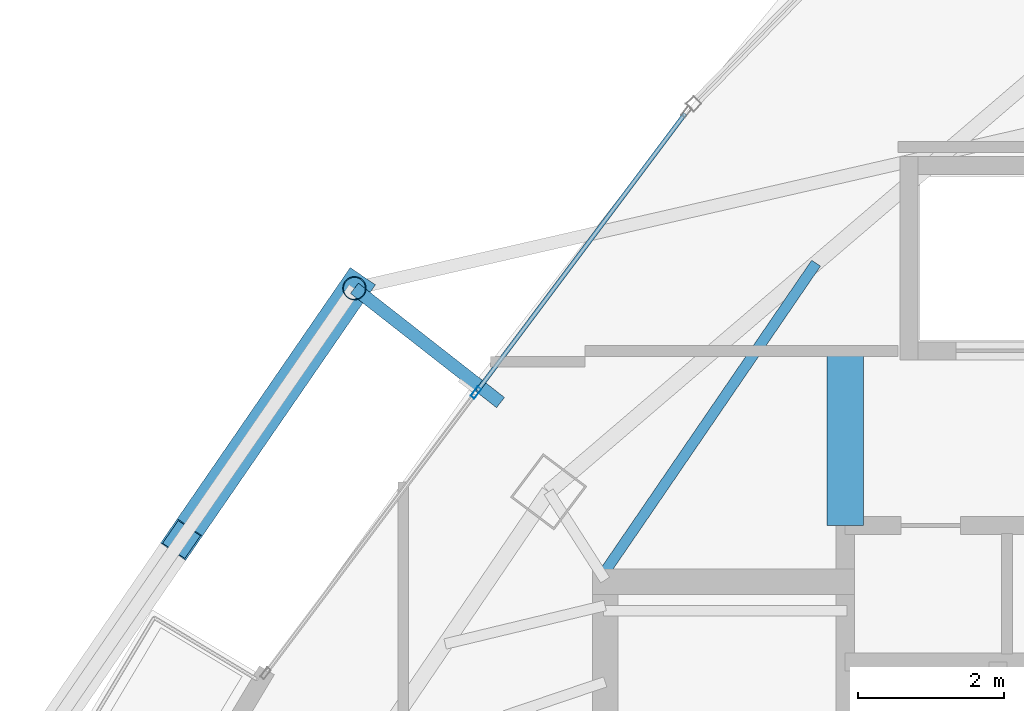
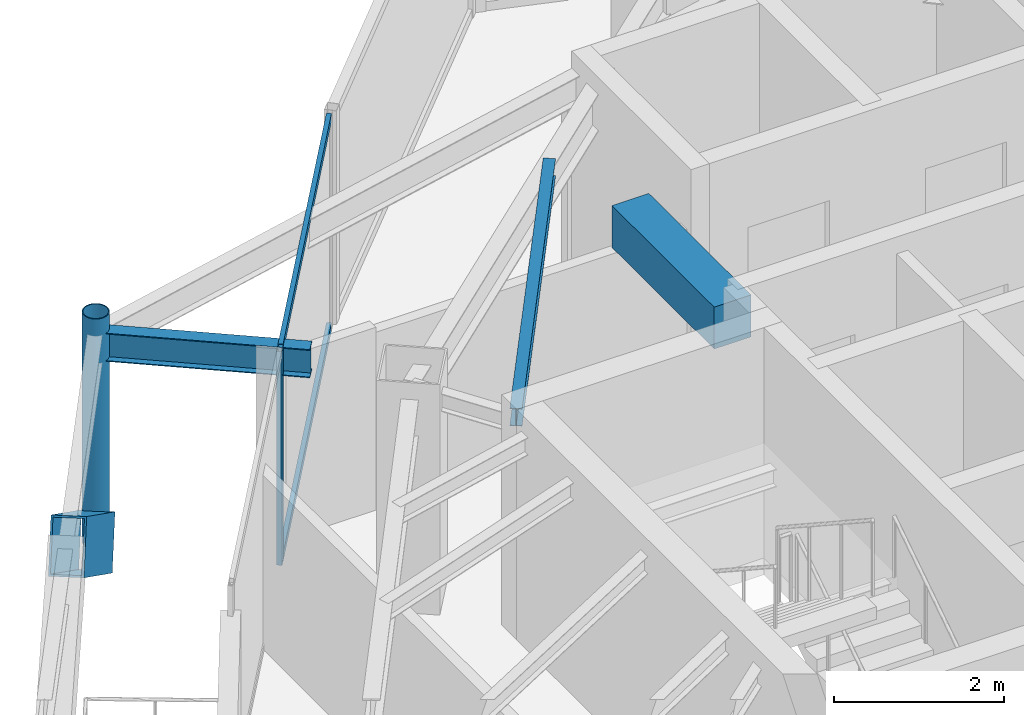
# One storey, part 20 of 30: 5 members, 3 beams, 1 element without a shape of its own.
"""IFC4 building model written with IfcOpenShell, lengths in metres."""

from ifc_helpers import new_model, si_unit, direction, frame, origin, origin_2d, place, context, subcontext, project, spatial, rectangle, hollow_rectangle, hollow_circle, i_section, extrude, material, layer, layer_set, material_profile, profile_set, type_object, element, aggregate, save


model = new_model("IFC4")

# Units and contexts
model_context = context("Model", 3, precision=1e-05, world=origin(), true_north=direction((0.0, 1.0)))
body_context = subcontext(model_context, "Body", "Model", "MODEL_VIEW")
ifc_project = project(units=[si_unit("LENGTHUNIT", "METRE"), si_unit("AREAUNIT", "SQUARE_METRE"), si_unit("VOLUMEUNIT", "CUBIC_METRE"), si_unit("PLANEANGLEUNIT", "RADIAN"), si_unit("MASSUNIT", "GRAM", prefix="KILO")], contexts=[model_context])

# Site, building, storey
site_placement = place(None, origin())
site = spatial("IfcSite", under=ifc_project, at=site_placement, CompositionType="ELEMENT")
building_placement = place(site_placement, origin())
building = spatial("IfcBuilding", under=site, at=building_placement, Name="Orvanel Arch Residences", CompositionType="ELEMENT")
storey_placement = place(building_placement, frame((0.0, 0.0, 240.35009765625)))
storey = spatial("IfcBuildingStorey", under=building, at=storey_placement, Name="L68", CompositionType="ELEMENT", Elevation=240.35009765625)

# Beam
ifc_material_1 = material(Name="Structural steel AS/NZS 3679.1 Grade 300 (300 MPa)", Category="steel")
ifc_material_profile_1 = material_profile(ifc_material_1, i_section(OverallWidth=0.14599609375, OverallDepth=0.251953125, WebThickness=0.006103515625, FlangeThickness=0.008544921875, at=origin_2d()), Name="250UB31.4")
ifc_profile_set_1 = profile_set([ifc_material_profile_1], Name="Structural steel AS/NZS 3679.1 Grade 300 (300 MPa)")
beam_type_1 = type_object("IfcBeamType", Name="BJ-250UB", PredefinedType="JOIST", material=ifc_profile_set_1)
beam_1_placement = place(storey_placement, frame((26.425048828125, 34.02001953125, 2.933837890625), z_axis=(0.564868085352, 0.825181220188, 0.0), x_axis=(-0.825181220188, 0.564868085352, 0.0)))
element("IfcBeam", 1, at=beam_1_placement, inside=storey, type_object=beam_type_1, Name="L68 NNW2 Wing Floor Joist", PredefinedType="JOIST", context=body_context, shape_type="SweptSolid", body=[
    extrude(i_section(OverallWidth=0.14599609375, OverallDepth=0.251953125, WebThickness=0.006103515625, FlangeThickness=0.008544921875, at=origin_2d()), origin(), (0.0, 0.0, 1.0), 5.132080078125),
])

# Member
ifc_material_2 = material(Name="Structural steel AS/NZS 3678 Grade 350", Category="steel")
ifc_material_profile_2 = material_profile(ifc_material_2, hollow_rectangle(XDim=0.419921875, YDim=0.719970703125, WallThickness=0.02490234375, at=origin_2d()), Name="RHS720x420x25")
ifc_profile_set_2 = profile_set([ifc_material_profile_2], Name="Structural steel AS/NZS 3678 Grade 350")
member_type_1 = type_object("IfcMemberType", Name="BR-720RHS-EXT", PredefinedType="BRACE", material=ifc_profile_set_2)
member_1_placement = place(storey_placement, frame((22.97900390625, 37.909912109375, 0.0), z_axis=(-0.468558601518, -0.680651633245, 0.563175098086), x_axis=(0.82369680788, -0.567030483032, 0.0)))
element("IfcMember", 2, at=member_1_placement, inside=storey, type_object=member_type_1, Name="L68 Exterior Sky-Garden V-Frame Chevron F1B1.1", PredefinedType="BRACE", context=body_context, shape_type="SweptSolid", body=[
    extrude(hollow_rectangle(XDim=0.419921875, YDim=0.719970703125, WallThickness=0.02490234375, at=origin_2d()), origin(), (0.0, 0.0, 1.0), 5.072998046875),
])

# Beam
ifc_material_3 = material(Name="Concrete S65 (65 MPa)", Category="concrete")
ifc_material_profile_3 = material_profile(ifc_material_3, rectangle(XDim=0.5, YDim=0.60009765625, at=origin_2d()), Name="RC500x600")
ifc_profile_set_3 = profile_set([ifc_material_profile_3], Name="Concrete S65 (65 MPa)")
beam_type_2 = type_object("IfcBeamType", Name="CB-500x600", PredefinedType="LINTEL", material=ifc_profile_set_3)
beam_2_placement = place(storey_placement, frame((29.72509765625, 34.64990234375, 2.760009765625), z_axis=(0.0, 1.0, 0.0), x_axis=(-1.0, 0.0, 0.0)))
element("IfcBeam", 3, at=beam_2_placement, inside=storey, type_object=beam_type_2, Name="L68 West Core Lobby Coupling Lintel Beam", PredefinedType="LINTEL", context=body_context, shape_type="SweptSolid", body=[
    extrude(rectangle(XDim=0.5, YDim=0.60009765625, at=origin_2d()), origin(), (0.0, 0.0, 1.0), 2.400146484375),
])

# Curtain wall, member
ifc_material_4 = material(Name="Bronze-anodised aluminium AA6063-T6", Category="aluminium")
ifc_layer = layer(ifc_material_4, 0.175048828125)
ifc_layer_set = layer_set([ifc_layer], Name="Bronze-anodised aluminium AA6063-T6")
curtain_wall_type = type_object("IfcCurtainWallType", Name="CW4-HI-SYS", PredefinedType="NOTDEFINED", material=ifc_layer_set)
curtain_wall_placement = place(storey_placement, origin())
curtain_wall = element("IfcCurtainWall", 4, at=curtain_wall_placement, inside=storey, type_object=curtain_wall_type, Name="L68 CW4-HI-SYS Unitised Curtain Wall", PredefinedType="NOTDEFINED")
ifc_material_profile_4 = material_profile(ifc_material_4, hollow_rectangle(XDim=0.06494140625, YDim=0.159912109375, WallThickness=0.00390625, at=origin_2d()), Name="ALU160x65x4")
ifc_profile_set_4 = profile_set([ifc_material_profile_4], Name="Bronze-anodised aluminium AA6063-T6")
member_type_2 = type_object("IfcMemberType", Name="MUL-160x65", PredefinedType="MULLION", material=ifc_profile_set_4)
member_2_placement = place(storey_placement, frame((24.64990234375, 36.47705078125, 0.0), z_axis=(0.0, 0.0, 1.0), x_axis=(0.800074132032, -0.599901144567, 0.0)))
member_2 = element("IfcMember", 5, at=member_2_placement, type_object=member_type_2, Name="CW-S4 mullion 2", PredefinedType="MULLION", context=body_context, shape_type="SweptSolid", body=[
    extrude(hollow_rectangle(XDim=0.06494140625, YDim=0.159912109375, WallThickness=0.00390625, at=origin_2d()), origin(), (0.0, 0.0, 1.0), 3.059814453125),
])

# Beam
ifc_material_profile_5 = material_profile(ifc_material_1, i_section(OverallWidth=0.177978515625, OverallDepth=0.406005859375, WebThickness=0.0078125, FlangeThickness=0.0126953125, at=origin_2d()), Name="410UB59.7")
ifc_profile_set_5 = profile_set([ifc_material_profile_5], Name="Structural steel AS/NZS 3679.1 Grade 300 (300 MPa)")
beam_type_3 = type_object("IfcBeamType", Name="OB-410UB-EXT", PredefinedType="SPANDREL", material=ifc_profile_set_5)
beam_3_placement = place(storey_placement, frame((24.987060546875, 36.339111328125, 2.85693359375), z_axis=(-0.787642393719, 0.616132663974, 0.0), x_axis=(-0.616132663974, -0.787642393719, 0.0)))
element("IfcBeam", 6, at=beam_3_placement, inside=storey, type_object=beam_type_3, Name="L68 Outer Frame Radial Tie Beam 01", PredefinedType="SPANDREL", context=body_context, shape_type="SweptSolid", body=[
    extrude(i_section(OverallWidth=0.177978515625, OverallDepth=0.406005859375, WebThickness=0.0078125, FlangeThickness=0.0126953125, at=origin_2d()), origin(), (0.0, 0.0, 1.0), 2.549560546875),
])

# Member
ifc_material_5 = material(Name="Structural steel AS/NZS 1163 C350L0 (Grade 350)", Category="steel")
ifc_material_profile_6 = material_profile(ifc_material_5, hollow_circle(Radius=0.162109375, WallThickness=0.0126953125, at=origin_2d()), Name="CHS324x12.7")
ifc_profile_set_6 = profile_set([ifc_material_profile_6], Name="Structural steel AS/NZS 1163 C350L0 (Grade 350)")
member_type_3 = type_object("IfcMemberType", Name="ST-324CHS-EXT", PredefinedType="STRUT", material=ifc_profile_set_6)
member_3_placement = place(storey_placement, frame((22.97900390625, 37.909912109375, 0.0), z_axis=(0.0, 0.0, 1.0), x_axis=(1.0, 0.0, 0.0)))
element("IfcMember", 7, at=member_3_placement, inside=storey, type_object=member_type_3, Name="L68 Outer Perimeter Frame Post 01", PredefinedType="STRUT", context=body_context, shape_type="SweptSolid", body=[
    extrude(hollow_circle(Radius=0.162109375, WallThickness=0.0126953125, at=origin_2d()), origin(), (0.0, 0.0, 1.0), 3.2998046875),
])

ifc_material_profile_7 = material_profile(ifc_material_4, hollow_rectangle(XDim=0.06005859375, YDim=0.1201171875, WallThickness=0.00341796875, at=origin_2d()), Name="ALU120x60x3.5")
ifc_profile_set_7 = profile_set([ifc_material_profile_7], Name="Bronze-anodised aluminium AA6063-T6")
member_type_4 = type_object("IfcMemberType", Name="TRN-120x60", PredefinedType="USERDEFINED", material=ifc_profile_set_7)
member_4_placement = place(storey_placement, frame((27.52392578125, 40.31005859375, 0.02978515625), z_axis=(-0.599885065435, -0.800086188025, 0.0), x_axis=(0.800086188025, -0.599885065435, 0.0)))
member_4 = element("IfcMember", 8, at=member_4_placement, type_object=member_type_4, Name="CW-S4 transom 1.1", ObjectType="TRANSOM", PredefinedType="USERDEFINED", context=body_context, shape_type="SweptSolid", body=[
    extrude(hollow_rectangle(XDim=0.06005859375, YDim=0.1201171875, WallThickness=0.00341796875, at=origin_2d()), origin(), (0.0, 0.0, 1.0), 4.75830078125),
])

member_5_placement = place(storey_placement, frame((27.52392578125, 40.31005859375, 3.02978515625), z_axis=(-0.599885065435, -0.800086188025, 0.0), x_axis=(0.800086188025, -0.599885065435, 0.0)))
member_5 = element("IfcMember", 9, at=member_5_placement, type_object=member_type_4, Name="CW-S4 transom 1.2", ObjectType="TRANSOM", PredefinedType="USERDEFINED", context=body_context, shape_type="SweptSolid", body=[
    extrude(hollow_rectangle(XDim=0.06005859375, YDim=0.1201171875, WallThickness=0.00341796875, at=origin_2d()), origin(), (0.0, 0.0, 1.0), 4.75830078125),
])

aggregate(curtain_wall, [member_2, member_4, member_5])

save(model, "model.ifc")
